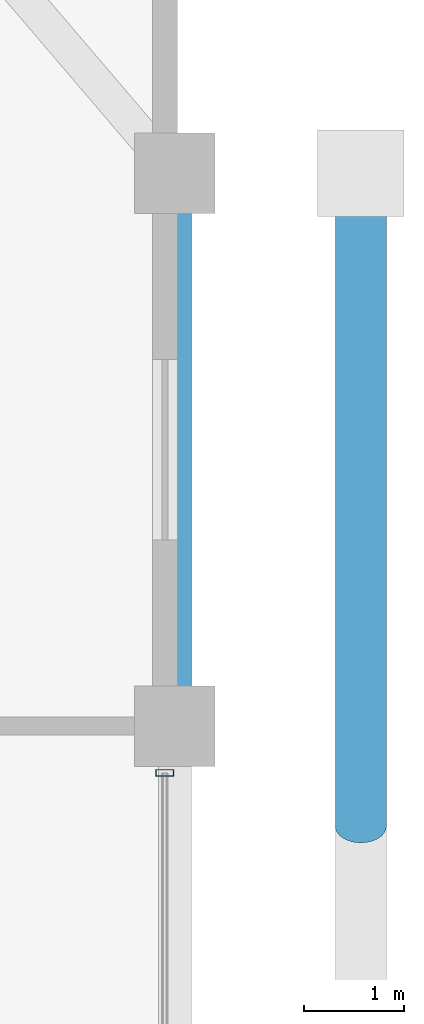
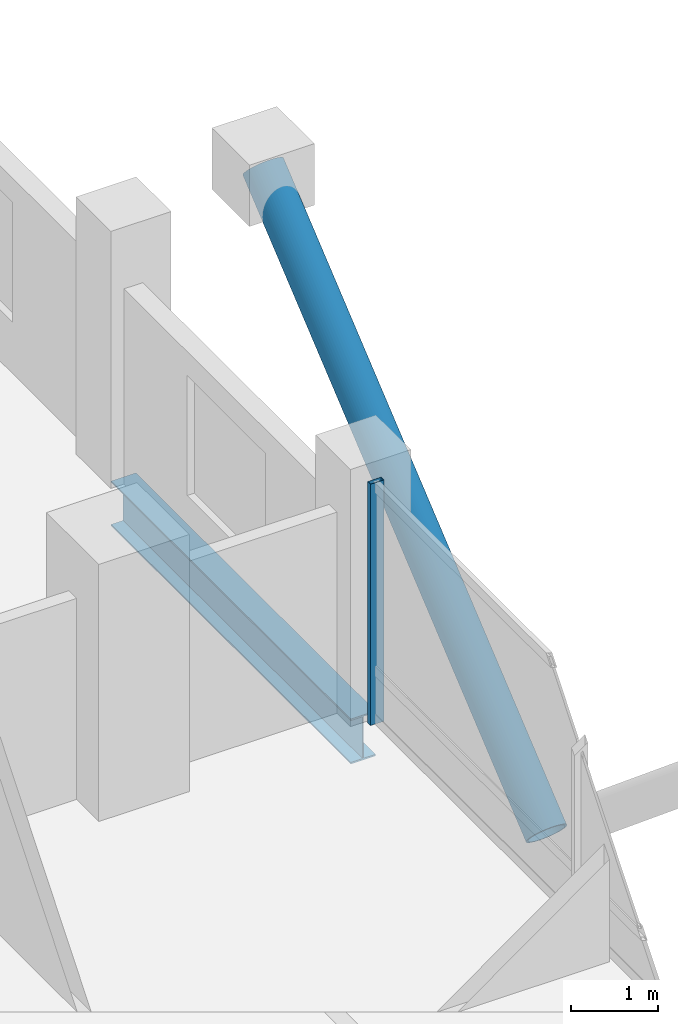
# One storey, part 15 of 23: 2 members, 1 beam, 1 element without a shape of its own.
"""IFC4 building model written with IfcOpenShell, lengths in metres."""

import ifcopenshell
import ifcopenshell.guid

model = None  # the IFC model being written
_history = None  # IfcOwnerHistory: only IFC2X3 demands one
_inside = {}  # id of a spatial element -> (the spatial element, [elements in it])
_under = {}  # id of a project, library or spatial element -> (it, [spatial elements below it])
_declared = {}  # id of a project -> (the project, [libraries it declares])
_typed = {}  # id of a type object -> (the type object, [elements of that type])
_made_of = {}  # id of a material, layer set ... -> (it, [elements and type objects made of it])


def new_model(schema):
    """Start an empty IFC model of exactly this schema.

    Asked for "IFC4X3", IfcOpenShell would pick the latest addendum, in which some entities
    have other attributes; the version numbers below select the first issue.
    IFC2X3 requires an IfcOwnerHistory on every rooted entity: one is made here for all.
    """
    global model, _history
    if schema == "IFC4X3":
        model = ifcopenshell.file(schema_version=(4, 3, 0, 0))
    else:
        model = ifcopenshell.file(schema=schema)
    _inside.clear()
    _under.clear()
    _declared.clear()
    _typed.clear()
    _made_of.clear()
    _history = None
    if model.schema == "IFC2X3":
        org = make("IfcOrganization", Name="unknown")
        user = make(
            "IfcPersonAndOrganization",
            ThePerson=make("IfcPerson", FamilyName="unknown"),
            TheOrganization=org,
        )
        app = make(
            "IfcApplication",
            ApplicationDeveloper=org,
            Version="unknown",
            ApplicationFullName="unknown",
            ApplicationIdentifier="unknown",
        )
        _history = make(
            "IfcOwnerHistory",
            OwningUser=user,
            OwningApplication=app,
            ChangeAction="ADDED",
            CreationDate=0,
        )
    return model


def make(cls, **values):
    """One entity of the class cls with the attributes given. An attribute that is None is left unset."""
    return model.create_entity(
        cls, **{name: value for name, value in values.items() if value is not None}
    )


def rooted(cls, **values):
    """An entity with a GlobalId (a new one), such as an element, a storey or a relation."""
    return make(cls, GlobalId=ifcopenshell.guid.new(), OwnerHistory=_history, **values)


def si_unit(unit_type, name, prefix=None):
    """IfcSIUnit, for example si_unit("LENGTHUNIT", "METRE", prefix="MILLI")."""
    return make("IfcSIUnit", UnitType=unit_type, Prefix=prefix, Name=name)


def assignment(units):
    """IfcUnitAssignment: the units of a project."""
    return None if units is None else make("IfcUnitAssignment", Units=units)


def point(xyz):
    """IfcCartesianPoint."""
    return None if xyz is None else make("IfcCartesianPoint", Coordinates=xyz)


def direction(xyz):
    """IfcDirection."""
    return None if xyz is None else make("IfcDirection", DirectionRatios=xyz)


def frame(location, z_axis=None, x_axis=None):
    """IfcAxis2Placement3D, a coordinate frame: its origin and axes. An axis left out is left unset."""
    return make(
        "IfcAxis2Placement3D",
        Location=point(location),
        Axis=direction(z_axis),
        RefDirection=direction(x_axis),
    )


def frame_2d(location, x_axis=None):
    """IfcAxis2Placement2D, a coordinate frame in the plane: its origin and x axis."""
    return make(
        "IfcAxis2Placement2D", Location=point(location), RefDirection=direction(x_axis)
    )


def origin():
    """The frame at (0, 0, 0) with its axes left unset."""
    return frame((0.0, 0.0, 0.0))


def origin_2d():
    """The frame at (0, 0) in the plane with its x axis left unset."""
    return frame_2d((0.0, 0.0))


def place(relative_to, where):
    """IfcLocalPlacement: puts the frame where relative to a parent placement (None: the world)."""
    return make(
        "IfcLocalPlacement", PlacementRelTo=relative_to, RelativePlacement=where
    )


def context(
    kind, dimensions, precision=None, world=None, true_north=None, identifier=None
):
    """IfcGeometricRepresentationContext, for example the 3D "Model" context."""
    return make(
        "IfcGeometricRepresentationContext",
        ContextIdentifier=identifier,
        ContextType=kind,
        CoordinateSpaceDimension=dimensions,
        Precision=precision,
        WorldCoordinateSystem=world,
        TrueNorth=true_north,
    )


def subcontext(parent, identifier, kind, view, scale=None):
    """IfcGeometricRepresentationSubContext, for example "Body" below "Model"."""
    return make(
        "IfcGeometricRepresentationSubContext",
        ContextIdentifier=identifier,
        ContextType=kind,
        ParentContext=parent,
        TargetScale=scale,
        TargetView=view,
    )


def project(units=None, contexts=None):
    """IfcProject with its units and contexts."""
    return rooted(
        "IfcProject",
        Name="project",
        RepresentationContexts=contexts,
        UnitsInContext=assignment(units),
    )


def spatial(cls, under=None, at=None, **own):
    """A site, building, storey or space (cls), placed at a placement, below another one or the project."""
    s = rooted(cls, ObjectPlacement=at, **own)
    if under is not None:
        _under.setdefault(under.id(), (under, []))[1].append(s)
    return s


def profile(cls, at=None, kind="AREA", **sizes):
    """A parametric profile (cls). Its sizes go by their IFC names, for example OverallWidth=200.0."""
    return make(cls, ProfileType=kind, Position=at, **sizes)


def hollow_rectangle(**sizes):
    """IfcRectangleHollowProfileDef."""
    return profile("IfcRectangleHollowProfileDef", **sizes)


def hollow_circle(**sizes):
    """IfcCircleHollowProfileDef."""
    return profile("IfcCircleHollowProfileDef", **sizes)


def i_section(**sizes):
    """IfcIShapeProfileDef."""
    return profile("IfcIShapeProfileDef", **sizes)


def extrude(swept, where, along, depth):
    """IfcExtrudedAreaSolid: the profile swept, set in the frame where, extruded along a direction by depth."""
    return make(
        "IfcExtrudedAreaSolid",
        SweptArea=swept,
        Position=where,
        ExtrudedDirection=direction(along),
        Depth=depth,
    )


def shape(context_of_items, identifier, shape_type, items):
    """IfcShapeRepresentation: the items that make up one representation, for example the "Body"."""
    return make(
        "IfcShapeRepresentation",
        ContextOfItems=context_of_items,
        RepresentationIdentifier=identifier,
        RepresentationType=shape_type,
        Items=items,
    )


def material(Name=None, Category=None):
    """IfcMaterial."""
    return make("IfcMaterial", Name=Name, Category=Category)


def layer(
    of_material, thickness, ventilated=None, Name=None, Category=None, Priority=None
):
    """IfcMaterialLayer: one layer of a wall or slab, of a material (None: an air gap)."""
    return make(
        "IfcMaterialLayer",
        Material=of_material,
        LayerThickness=thickness,
        IsVentilated=ventilated,
        Name=Name,
        Category=Category,
        Priority=Priority,
    )


def layer_set(layers, Name=None):
    """IfcMaterialLayerSet."""
    return make("IfcMaterialLayerSet", MaterialLayers=layers, LayerSetName=Name)


def material_profile(
    of_material, cross_section, Name=None, Category=None, Priority=None
):
    """IfcMaterialProfile: a cross section and its material."""
    return make(
        "IfcMaterialProfile",
        Name=Name,
        Material=of_material,
        Profile=cross_section,
        Priority=Priority,
        Category=Category,
    )


def profile_set(profiles, Name=None, composite=None):
    """IfcMaterialProfileSet."""
    return make(
        "IfcMaterialProfileSet",
        Name=Name,
        MaterialProfiles=profiles,
        CompositeProfile=composite,
    )


def made_of(thing, what):
    """Note that an element or type object is made of a material, layer set ...; save() writes the relation."""
    if what is not None:
        _made_of.setdefault(what.id(), (what, []))[1].append(thing)
    return thing


def type_object(cls, material=None, **own):
    """A type object (cls), such as IfcWallType, which elements share."""
    return made_of(rooted(cls, **own), material)


def element(
    cls,
    number,
    at=None,
    inside=None,
    cuts=None,
    type_object=None,
    material=None,
    context=None,
    identifier="Body",
    shape_type=None,
    held_by="IfcProductDefinitionShape",
    body=None,
    shapes=None,
    **own,
):
    """One element of the class cls, such as IfcWall. Its Tag is "e" and its number.

    at: its placement. inside: the storey or other place that contains it. cuts: it is an
    opening in that element (IfcRelVoidsElement). A single representation is given by context,
    identifier, shape_type and body (its items); several are given by shapes. held_by: the class
    of the entity that holds the representations. save() writes the other relations.
    """
    e = rooted(cls, Tag="e%d" % number, ObjectPlacement=at, **own)
    if body is not None:
        shapes = [shape(context, identifier, shape_type, body)]
    if shapes is not None:
        e.Representation = make(held_by, Representations=shapes)
    if inside is not None:
        _inside.setdefault(inside.id(), (inside, []))[1].append(e)
    if cuts is not None:
        rooted(
            "IfcRelVoidsElement", RelatingBuildingElement=cuts, RelatedOpeningElement=e
        )
    if type_object is not None:
        _typed.setdefault(type_object.id(), (type_object, []))[1].append(e)
    return made_of(e, material)


def aggregate(whole, parts):
    """IfcRelAggregates: a whole, such as a stair, and the parts it consists of."""
    return rooted("IfcRelAggregates", RelatingObject=whole, RelatedObjects=parts)


def save(model, path):
    """Write the relations noted so far, then the file.

    IfcRelAggregates (storeys below a building ...), IfcRelContainedInSpatialStructure (elements
    in a storey), IfcRelDefinesByType, IfcRelAssociatesMaterial and IfcRelDeclares: one each for
    every whole, place, type object, material and project.
    """
    for whole, parts in _under.values():
        aggregate(whole, parts)
    for where, things in _inside.values():
        rooted(
            "IfcRelContainedInSpatialStructure",
            RelatedElements=things,
            RelatingStructure=where,
        )
    for kind, things in _typed.values():
        rooted("IfcRelDefinesByType", RelatedObjects=things, RelatingType=kind)
    for what, things in _made_of.values():
        rooted("IfcRelAssociatesMaterial", RelatedObjects=things, RelatingMaterial=what)
    for by, libraries in _declared.values():
        rooted("IfcRelDeclares", RelatingContext=by, RelatedDefinitions=libraries)
    model.write(path)


model = new_model("IFC4")

# Units and contexts
model_context = context("Model", 3, precision=1e-05, world=origin(), true_north=direction((0.0, 1.0)))
body_context = subcontext(model_context, "Body", "Model", "MODEL_VIEW")
ifc_project = project(units=[si_unit("LENGTHUNIT", "METRE"), si_unit("AREAUNIT", "SQUARE_METRE"), si_unit("VOLUMEUNIT", "CUBIC_METRE"), si_unit("PLANEANGLEUNIT", "RADIAN"), si_unit("MASSUNIT", "GRAM", prefix="KILO")], contexts=[model_context])

# Site, building, storey
site_placement = place(None, origin())
site = spatial("IfcSite", under=ifc_project, at=site_placement, CompositionType="ELEMENT")
building_placement = place(site_placement, origin())
building = spatial("IfcBuilding", under=site, at=building_placement, Name="Barlavira Tower and Art Museum", CompositionType="ELEMENT")
storey_placement = place(building_placement, frame((0.0, 0.0, 151.199951171875)))
storey = spatial("IfcBuildingStorey", under=building, at=storey_placement, Name="L38", CompositionType="ELEMENT", Elevation=151.199951171875)

# Curtain wall, member
ifc_material_1 = material(Name="Low-iron coastal laminated glass", Category="glass")
ifc_layer = layer(ifc_material_1, 0.18994140625, Name="Low-iron coastal laminated glass")
ifc_layer_set = layer_set([ifc_layer], Name="Low-iron coastal laminated glass")
curtain_wall_type = type_object("IfcCurtainWallType", Name="Pale-Metal Unitised Curtain Wall Zone 2", PredefinedType="NOTDEFINED", material=ifc_layer_set)
curtain_wall_placement = place(storey_placement, origin())
curtain_wall = element("IfcCurtainWall", 1, at=curtain_wall_placement, inside=storey, type_object=curtain_wall_type, Name="L38 Curtain Wall CW2-L38-E-B3", PredefinedType="NOTDEFINED")
ifc_material_2 = material(Name="Pale anodised aluminium", Category="aluminium")
ifc_material_profile_1 = material_profile(ifc_material_2, hollow_rectangle(XDim=0.06494140625, YDim=0.179931640625, WallThickness=0.00390625, at=origin_2d()), Name="ALU-MULL 65x180x4")
ifc_profile_set_1 = profile_set([ifc_material_profile_1], Name="Pale anodised aluminium")
member_type_1 = type_object("IfcMemberType", Name="Curtain Wall Pale-Metal Mullion 65x180", PredefinedType="MULLION", material=ifc_profile_set_1)
member_1_placement = place(storey_placement, frame((20.14990234375, 7.034912109375, 0.0), z_axis=(0.0, 0.0, 1.0), x_axis=(0.0, 1.0, 0.0)))
member_1 = element("IfcMember", 2, at=member_1_placement, type_object=member_type_1, Name="CW2-L38-E-B3 Mullion 3", PredefinedType="MULLION", context=body_context, shape_type="SweptSolid", body=[
    extrude(hollow_rectangle(XDim=0.06494140625, YDim=0.179931640625, WallThickness=0.00390625, at=origin_2d()), origin(), (0.0, 0.0, 1.0), 3.380126953125),
])
aggregate(curtain_wall, [member_1])

# Member
ifc_material_3 = material(Name="Steel S355", Category="steel")
ifc_material_profile_2 = material_profile(ifc_material_3, hollow_circle(Radius=0.25390625, WallThickness=0.022216796875, at=origin_2d()), Name="CHS 508.0x22.2")
ifc_profile_set_2 = profile_set([ifc_material_profile_2], Name="Steel S355")
member_type_2 = type_object("IfcMemberType", Name="Pale-Metal Exoskeleton Diagrid Tube CHS 508x22 Steel S355", PredefinedType="BRACE", material=ifc_profile_set_2)
member_2_placement = place(storey_placement, frame((22.10009765625, 6.5, -1.919921875), z_axis=(0.0, 0.769196053329, 0.639012857104), x_axis=(-1.0, 0.0, 0.0)))
element("IfcMember", 3, at=member_2_placement, inside=storey, type_object=member_type_2, Name="L38 Exoskeleton Diagrid Tube E", PredefinedType="BRACE", context=body_context, shape_type="SweptSolid", body=[
    extrude(hollow_circle(Radius=0.25390625, WallThickness=0.022216796875, at=origin_2d()), origin(), (0.0, 0.0, 1.0), 8.450439453125),
])

# Beam
ifc_material_profile_3 = material_profile(ifc_material_3, i_section(OverallWidth=0.327880859375, OverallDepth=0.62890625, WebThickness=0.013916015625, FlangeThickness=0.021484375, at=origin_2d()), Name="W610x174.0")
ifc_profile_set_3 = profile_set([ifc_material_profile_3], Name="Steel S355")
beam_type = type_object("IfcBeamType", Name="Perimeter Spandrel Edge Beam W610x174 Steel S355", PredefinedType="SPANDREL", material=ifc_profile_set_3)
beam_placement = place(storey_placement, frame((20.25, 7.5, -0.534423828125), z_axis=(0.0, 1.0, 0.0), x_axis=(-1.0, 0.0, 0.0)))
element("IfcBeam", 4, at=beam_placement, inside=storey, type_object=beam_type, Name="L38 Spandrel 7", PredefinedType="SPANDREL", context=body_context, shape_type="SweptSolid", body=[
    extrude(i_section(OverallWidth=0.327880859375, OverallDepth=0.62890625, WebThickness=0.013916015625, FlangeThickness=0.021484375, at=origin_2d()), origin(), (0.0, 0.0, 1.0), 5.5),
])

save(model, "model.ifc")
